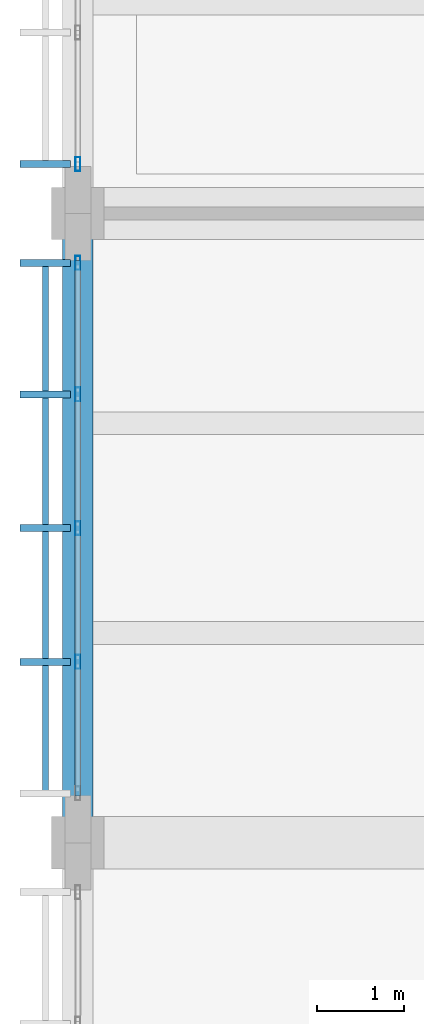
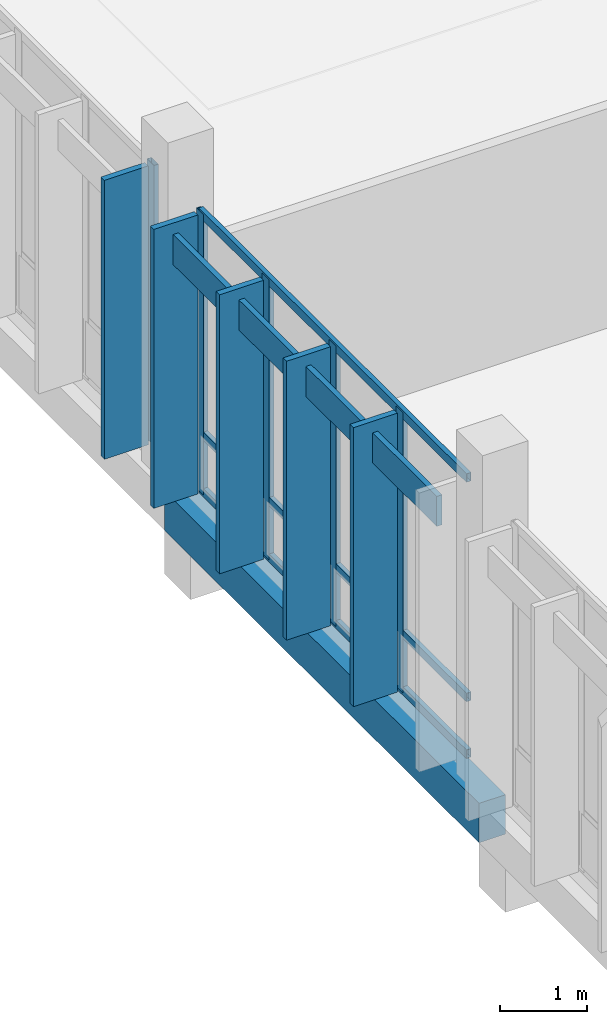
# One storey, part 18 of 177: 14 members, 1 beam, 2 elements without a shape of their own.
"""IFC4 building model written with IfcOpenShell, lengths in metres."""

from ifc_helpers import new_model, si_unit, direction, frame, origin, origin_2d, place, context, subcontext, project, spatial, rectangle, hollow_rectangle, extrude, material, material_profile, profile_set, type_object, element, aggregate, save


model = new_model("IFC4")

# Units and contexts
model_context = context("Model", 3, precision=1e-05, world=origin(), true_north=direction((0.0, 1.0)))
body_context = subcontext(model_context, "Body", "Model", "MODEL_VIEW")
ifc_project = project(units=[si_unit("LENGTHUNIT", "METRE"), si_unit("AREAUNIT", "SQUARE_METRE"), si_unit("VOLUMEUNIT", "CUBIC_METRE"), si_unit("PLANEANGLEUNIT", "RADIAN"), si_unit("MASSUNIT", "GRAM", prefix="KILO")], contexts=[model_context])

# Site, building, storey
site_placement = place(None, origin())
site = spatial("IfcSite", under=ifc_project, at=site_placement, CompositionType="ELEMENT")
building_placement = place(site_placement, origin())
building = spatial("IfcBuilding", under=site, at=building_placement, Name="Chiffa Square Polytechnic", CompositionType="ELEMENT")
storey_placement = place(building_placement, frame((0.0, 0.0, 4.800048828125)))
storey = spatial("IfcBuildingStorey", under=building, at=storey_placement, Name="L01", CompositionType="ELEMENT", Elevation=4.800048828125)

# Beam
ifc_material_1 = material(Name="Concrete C35/45", Category="concrete")
ifc_material_profile_1 = material_profile(ifc_material_1, rectangle(XDim=0.35009765625, YDim=0.550048828125, at=origin_2d()), Name="RC 350x550")
ifc_profile_set_1 = profile_set([ifc_material_profile_1], Name="Concrete C35/45")
beam_type = type_object("IfcBeamType", Name="BM-RC-350X550", PredefinedType="BEAM", material=ifc_profile_set_1)
beam_placement = place(storey_placement, frame((0.0, 14.39990234375, -0.554931640625), z_axis=(0.0, 1.0, 0.0), x_axis=(-1.0, 0.0, 0.0)))
element("IfcBeam", 1, at=beam_placement, inside=storey, type_object=beam_type, Name="Primary floor girder BM-V3-L01-Y-0000-0144", PredefinedType="BEAM", context=body_context, shape_type="SweptSolid", body=[
    extrude(rectangle(XDim=0.35009765625, YDim=0.550048828125, at=origin_2d()), origin(), (0.0, 0.0, 1.0), 7.2001953125),
])

# Curtain wall, member
ifc_material_2 = material(Name="Aluminium EN AW-6060 T66 and glulam shading", Category="wood")
curtain_wall_type_1 = type_object("IfcCurtainWallType", Name="CW-VERT-600X440", PredefinedType="USERDEFINED", material=ifc_material_2)
curtain_wall_1_placement = place(storey_placement, origin())
curtain_wall_1 = element("IfcCurtainWall", 2, at=curtain_wall_1_placement, inside=storey, type_object=curtain_wall_type_1, Name="Curtain wall CW-V3-L01-161", ObjectType="CURTAIN WALL", PredefinedType="USERDEFINED")
ifc_material_3 = material(Name="Aluminium EN AW-6060 T66", Category="aluminium")
ifc_material_profile_2 = material_profile(ifc_material_3, hollow_rectangle(XDim=0.06005859375, YDim=0.159912109375, WallThickness=0.00390625, at=origin_2d()), Name="ALU 60x160x4")
ifc_profile_set_2 = profile_set([ifc_material_profile_2], Name="Aluminium EN AW-6060 T66")
member_type_1 = type_object("IfcMemberType", Name="CWM-ALU-65X150", PredefinedType="MULLION", material=ifc_profile_set_2)
member_1_placement = place(storey_placement, frame((0.0, 22.1650390625, 0.0), z_axis=(0.0, 0.0, 1.0), x_axis=(1.0, 0.0, 0.0)))
member_1 = element("IfcMember", 3, at=member_1_placement, type_object=member_type_1, Name="Curtain wall mullion CW-V3-L01-161-M04", PredefinedType="MULLION", context=body_context, shape_type="SweptSolid", body=[
    extrude(hollow_rectangle(XDim=0.06005859375, YDim=0.159912109375, WallThickness=0.00390625, at=origin_2d()), origin(), (0.0, 0.0, 1.0), 3.9150390625),
])

# Curtain wall, members
curtain_wall_type_2 = type_object("IfcCurtainWallType", Name="CW-VERT-450X380", PredefinedType="USERDEFINED", material=ifc_material_2)
curtain_wall_2_placement = place(storey_placement, origin())
curtain_wall_2 = element("IfcCurtainWall", 4, at=curtain_wall_2_placement, inside=storey, type_object=curtain_wall_type_2, Name="Curtain wall CW-V3-L01-162", ObjectType="CURTAIN WALL", PredefinedType="USERDEFINED")
member_2_placement = place(storey_placement, frame((0.0, 21.034912109375, 0.0), z_axis=(0.0, 0.0, 1.0), x_axis=(1.0, 0.0, 0.0)))
member_2 = element("IfcMember", 5, at=member_2_placement, type_object=member_type_1, Name="Curtain wall mullion CW-V3-L01-162-M00", PredefinedType="MULLION", context=body_context, shape_type="SweptSolid", body=[
    extrude(hollow_rectangle(XDim=0.06005859375, YDim=0.159912109375, WallThickness=0.00390625, at=origin_2d()), origin(), (0.0, 0.0, 1.0), 3.9150390625),
])
member_3_placement = place(storey_placement, frame((0.0, 19.530029296875, 0.0), z_axis=(0.0, 0.0, 1.0), x_axis=(1.0, 0.0, 0.0)))
member_3 = element("IfcMember", 6, at=member_3_placement, type_object=member_type_1, Name="Curtain wall mullion CW-V3-L01-162-M01", PredefinedType="MULLION", context=body_context, shape_type="SweptSolid", body=[
    extrude(hollow_rectangle(XDim=0.06005859375, YDim=0.159912109375, WallThickness=0.00390625, at=origin_2d()), origin(), (0.0, 0.0, 1.0), 3.9150390625),
])
member_4_placement = place(storey_placement, frame((0.0, 18.0, 0.0), z_axis=(0.0, 0.0, 1.0), x_axis=(1.0, 0.0, 0.0)))
member_4 = element("IfcMember", 7, at=member_4_placement, type_object=member_type_1, Name="Curtain wall mullion CW-V3-L01-162-M02", PredefinedType="MULLION", context=body_context, shape_type="SweptSolid", body=[
    extrude(hollow_rectangle(XDim=0.06005859375, YDim=0.159912109375, WallThickness=0.00390625, at=origin_2d()), origin(), (0.0, 0.0, 1.0), 3.9150390625),
])
member_5_placement = place(storey_placement, frame((0.0, 16.469970703125, 0.0), z_axis=(0.0, 0.0, 1.0), x_axis=(1.0, 0.0, 0.0)))
member_5 = element("IfcMember", 8, at=member_5_placement, type_object=member_type_1, Name="Curtain wall mullion CW-V3-L01-162-M03", PredefinedType="MULLION", context=body_context, shape_type="SweptSolid", body=[
    extrude(hollow_rectangle(XDim=0.06005859375, YDim=0.159912109375, WallThickness=0.00390625, at=origin_2d()), origin(), (0.0, 0.0, 1.0), 3.9150390625),
])

# Member
ifc_material_4 = material(Name="Glulam GL28h", Category="wood")
ifc_material_profile_3 = material_profile(ifc_material_4, rectangle(XDim=0.080078125, YDim=0.580078125, at=origin_2d()), Name="GL28h 80x580")
ifc_profile_set_3 = profile_set([ifc_material_profile_3], Name="Glulam GL28h")
member_type_2 = type_object("IfcMemberType", Name="CWM-GL-80X580", PredefinedType="MULLION", material=ifc_profile_set_3)
member_6_placement = place(storey_placement, frame((-0.3720703125, 22.1650390625, 0.010009765625), z_axis=(0.0, 0.0, 1.0), x_axis=(0.0, -1.0, 0.0)))
member_6 = element("IfcMember", 9, at=member_6_placement, type_object=member_type_2, Name="Exterior glulam solar fin CW-V3-L01-161-FN04", PredefinedType="MULLION", context=body_context, shape_type="SweptSolid", body=[
    extrude(rectangle(XDim=0.080078125, YDim=0.580078125, at=origin_2d()), origin(), (0.0, 0.0, 1.0), 3.89501953125),
])

aggregate(curtain_wall_1, [member_1, member_6])

member_7_placement = place(storey_placement, frame((-0.3720703125, 21.034912109375, 0.010009765625), z_axis=(0.0, 0.0, 1.0), x_axis=(0.0, -1.0, 0.0)))
member_7 = element("IfcMember", 10, at=member_7_placement, type_object=member_type_2, Name="Exterior glulam solar fin CW-V3-L01-162-FN00", PredefinedType="MULLION", context=body_context, shape_type="SweptSolid", body=[
    extrude(rectangle(XDim=0.080078125, YDim=0.580078125, at=origin_2d()), origin(), (0.0, 0.0, 1.0), 3.89501953125),
])

member_8_placement = place(storey_placement, frame((-0.3720703125, 19.530029296875, 0.010009765625), z_axis=(0.0, 0.0, 1.0), x_axis=(0.0, -1.0, 0.0)))
member_8 = element("IfcMember", 11, at=member_8_placement, type_object=member_type_2, Name="Exterior glulam solar fin CW-V3-L01-162-FN01", PredefinedType="MULLION", context=body_context, shape_type="SweptSolid", body=[
    extrude(rectangle(XDim=0.080078125, YDim=0.580078125, at=origin_2d()), origin(), (0.0, 0.0, 1.0), 3.89501953125),
])

member_9_placement = place(storey_placement, frame((-0.3720703125, 18.0, 0.010009765625), z_axis=(0.0, 0.0, 1.0), x_axis=(0.0, -1.0, 0.0)))
member_9 = element("IfcMember", 12, at=member_9_placement, type_object=member_type_2, Name="Exterior glulam solar fin CW-V3-L01-162-FN02", PredefinedType="MULLION", context=body_context, shape_type="SweptSolid", body=[
    extrude(rectangle(XDim=0.080078125, YDim=0.580078125, at=origin_2d()), origin(), (0.0, 0.0, 1.0), 3.89501953125),
])

member_10_placement = place(storey_placement, frame((-0.3720703125, 16.469970703125, 0.010009765625), z_axis=(0.0, 0.0, 1.0), x_axis=(0.0, -1.0, 0.0)))
member_10 = element("IfcMember", 13, at=member_10_placement, type_object=member_type_2, Name="Exterior glulam solar fin CW-V3-L01-162-FN03", PredefinedType="MULLION", context=body_context, shape_type="SweptSolid", body=[
    extrude(rectangle(XDim=0.080078125, YDim=0.580078125, at=origin_2d()), origin(), (0.0, 0.0, 1.0), 3.89501953125),
])

ifc_material_profile_4 = material_profile(ifc_material_3, hollow_rectangle(XDim=0.06005859375, YDim=0.1201171875, WallThickness=0.00390625, at=origin_2d()), Name="ALU 60x120x4")
ifc_profile_set_4 = profile_set([ifc_material_profile_4], Name="Aluminium EN AW-6060 T66")
member_type_3 = type_object("IfcMemberType", Name="CWT-ALU-65X120", PredefinedType="USERDEFINED", material=ifc_profile_set_4)
member_11_placement = place(storey_placement, frame((0.0, 21.06201171875, 0.030029296875), z_axis=(0.0, -1.0, 0.0), x_axis=(1.0, 0.0, 0.0)))
member_11 = element("IfcMember", 14, at=member_11_placement, type_object=member_type_3, Name="Curtain wall transom CW-V3-L01-162-T01", ObjectType="TRANSOM", PredefinedType="USERDEFINED", context=body_context, shape_type="SweptSolid", body=[
    extrude(hollow_rectangle(XDim=0.06005859375, YDim=0.1201171875, WallThickness=0.00390625, at=origin_2d()), origin(), (0.0, 0.0, 1.0), 6.1240234375),
])

member_12_placement = place(storey_placement, frame((0.0, 21.06201171875, 0.820068359375), z_axis=(0.0, -1.0, 0.0), x_axis=(1.0, 0.0, 0.0)))
member_12 = element("IfcMember", 15, at=member_12_placement, type_object=member_type_3, Name="Curtain wall transom CW-V3-L01-162-T02", ObjectType="TRANSOM", PredefinedType="USERDEFINED", context=body_context, shape_type="SweptSolid", body=[
    extrude(hollow_rectangle(XDim=0.06005859375, YDim=0.1201171875, WallThickness=0.00390625, at=origin_2d()), origin(), (0.0, 0.0, 1.0), 6.1240234375),
])

member_13_placement = place(storey_placement, frame((0.0, 21.06201171875, 3.885009765625), z_axis=(0.0, -1.0, 0.0), x_axis=(1.0, 0.0, 0.0)))
member_13 = element("IfcMember", 16, at=member_13_placement, type_object=member_type_3, Name="Curtain wall transom CW-V3-L01-162-T03", ObjectType="TRANSOM", PredefinedType="USERDEFINED", context=body_context, shape_type="SweptSolid", body=[
    extrude(hollow_rectangle(XDim=0.06005859375, YDim=0.1201171875, WallThickness=0.00390625, at=origin_2d()), origin(), (0.0, 0.0, 1.0), 6.1240234375),
])

ifc_material_profile_5 = material_profile(ifc_material_4, rectangle(XDim=0.070068359375, YDim=0.419921875, at=origin_2d()), Name="GL28h 70x420")
ifc_profile_set_5 = profile_set([ifc_material_profile_5], Name="Glulam GL28h")
member_type_4 = type_object("IfcMemberType", Name="CWT-GL-70X420", PredefinedType="USERDEFINED", material=ifc_profile_set_5)
member_14_placement = place(storey_placement, frame((-0.3720703125, 21.034912109375, 3.534912109375), z_axis=(0.0, -1.0, 0.0), x_axis=(1.0, 0.0, 0.0)))
member_14 = element("IfcMember", 17, at=member_14_placement, type_object=member_type_4, Name="Exterior glulam brise-soleil CW-V3-L01-162-BS01", ObjectType="TRANSOM", PredefinedType="USERDEFINED", context=body_context, shape_type="SweptSolid", body=[
    extrude(rectangle(XDim=0.070068359375, YDim=0.419921875, at=origin_2d()), origin(), (0.0, 0.0, 1.0), 6.06982421875),
])

aggregate(curtain_wall_2, [member_2, member_7, member_3, member_8, member_4, member_9, member_5, member_10, member_11, member_12, member_13, member_14])

save(model, "model.ifc")
